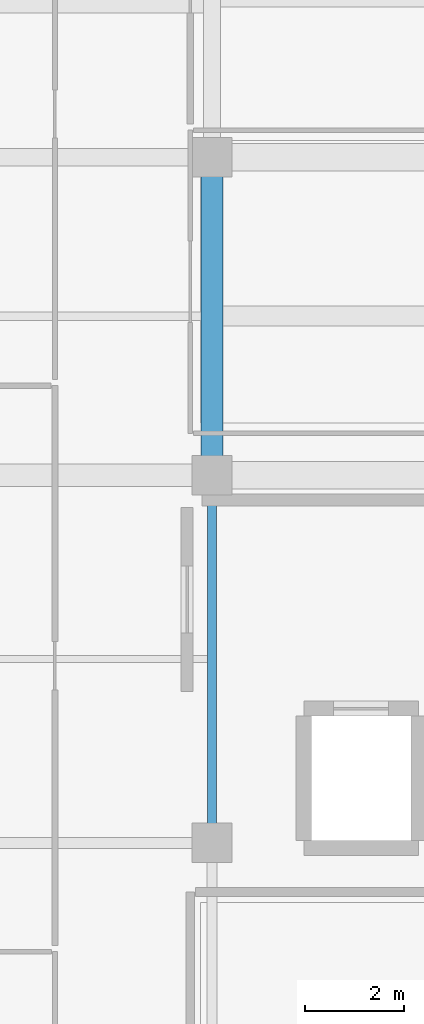
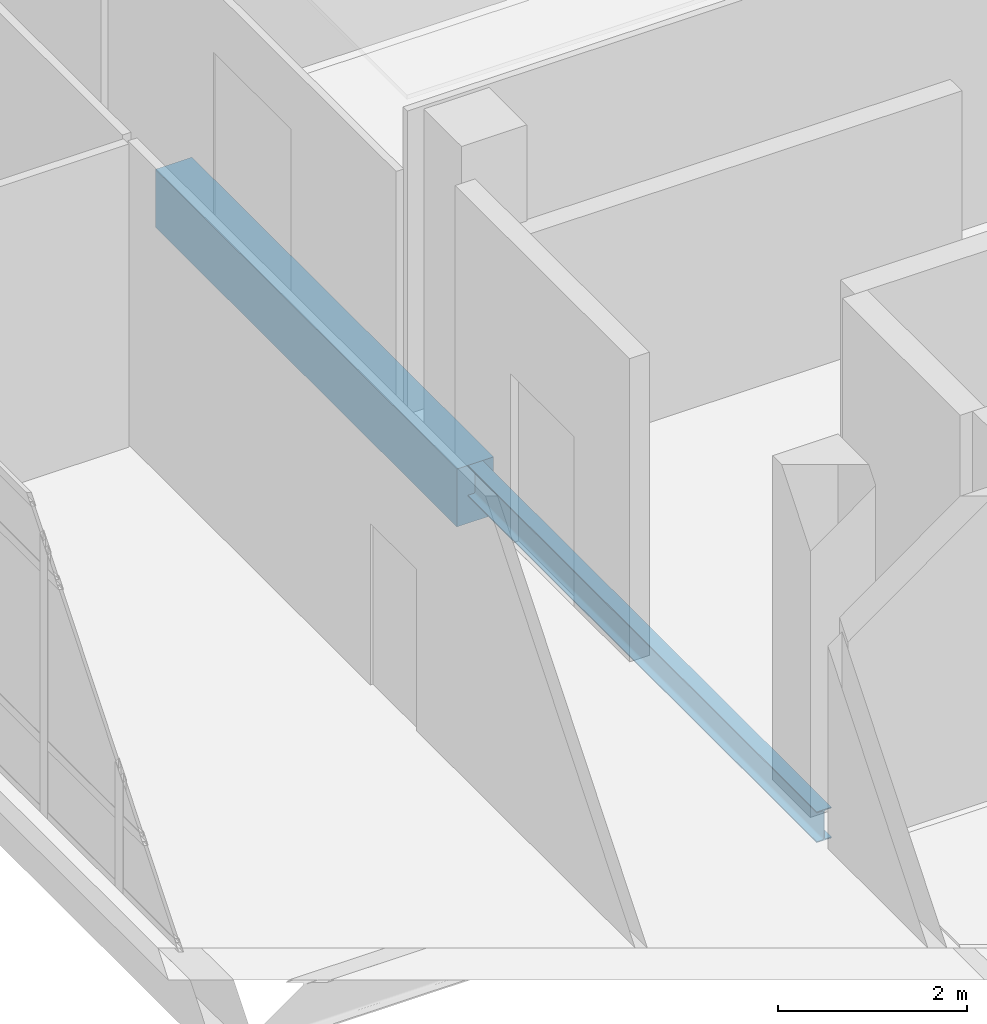
# One storey, part 99 of 158: 2 beams.
"""IFC4 building model written with IfcOpenShell, lengths in metres."""

from ifc_helpers import new_model, si_unit, direction, frame, origin, origin_2d, place, context, subcontext, project, spatial, rectangle, i_section, extrude, material, material_profile, profile_set, type_object, element, save


model = new_model("IFC4")

# Units and contexts
model_context = context("Model", 3, precision=1e-05, world=origin(), true_north=direction((0.0, 1.0)))
body_context = subcontext(model_context, "Body", "Model", "MODEL_VIEW")
ifc_project = project(units=[si_unit("LENGTHUNIT", "METRE"), si_unit("AREAUNIT", "SQUARE_METRE"), si_unit("VOLUMEUNIT", "CUBIC_METRE"), si_unit("PLANEANGLEUNIT", "RADIAN"), si_unit("MASSUNIT", "GRAM", prefix="KILO")], contexts=[model_context])

# Site, building, storey
site_placement = place(None, origin())
site = spatial("IfcSite", under=ifc_project, at=site_placement, CompositionType="ELEMENT")
building_placement = place(site_placement, origin())
building = spatial("IfcBuilding", under=site, at=building_placement, Name="Qalavern Law Courts", CompositionType="ELEMENT")
storey_placement = place(building_placement, frame((0.0, 0.0, 18.60009765625)))
storey = spatial("IfcBuildingStorey", under=building, at=storey_placement, Name="L04", CompositionType="ELEMENT", Elevation=18.60009765625)

# Beams
ifc_material_1 = material(Name="Steel S355", Category="steel")
ifc_material_profile_1 = material_profile(ifc_material_1, i_section(OverallWidth=0.179931640625, OverallDepth=0.39990234375, WebThickness=0.008544921875, FlangeThickness=0.013427734375, FilletRadius=0.02099609375, at=origin_2d()), Name="IPE 400")
ifc_profile_set_1 = profile_set([ifc_material_profile_1], Name="Steel S355")
beam_type_1 = type_object("IfcBeamType", Name="STR-BM-IPE400", PredefinedType="BEAM", material=ifc_profile_set_1)
beam_1_placement = place(storey_placement, frame((91.800048828125, 65.39990234375, -0.47998046875), z_axis=(0.0, 1.0, 0.0), x_axis=(-1.0, 0.0, 0.0)))
element("IfcBeam", 1, at=beam_1_placement, inside=storey, type_object=beam_type_1, Name="V4 Y-beam 2-3 L04", PredefinedType="BEAM", context=body_context, shape_type="SweptSolid", body=[
    extrude(i_section(OverallWidth=0.179931640625, OverallDepth=0.39990234375, WebThickness=0.008544921875, FlangeThickness=0.013427734375, FilletRadius=0.02099609375, at=origin_2d()), origin(), (0.0, 0.0, 1.0), 7.400146484375),
])
ifc_material_2 = material(Name="Concrete C40/50", Category="concrete")
ifc_material_profile_2 = material_profile(ifc_material_2, rectangle(XDim=0.449951171875, YDim=0.75, at=origin_2d()), Name="RC 450x750")
ifc_profile_set_2 = profile_set([ifc_material_profile_2], Name="Concrete C40/50")
beam_type_2 = type_object("IfcBeamType", Name="STR-BM-RC450x750", PredefinedType="BEAM", material=ifc_profile_set_2)
beam_2_placement = place(storey_placement, frame((91.800048828125, 72.800048828125, -0.655029296875), z_axis=(0.0, 1.0, 0.0), x_axis=(-1.0, 0.0, 0.0)))
element("IfcBeam", 2, at=beam_2_placement, inside=storey, type_object=beam_type_2, Name="V4 Y-beam 2-4 L04", PredefinedType="BEAM", context=body_context, shape_type="SweptSolid", body=[
    extrude(rectangle(XDim=0.449951171875, YDim=0.75, at=origin_2d()), origin(), (0.0, 0.0, 1.0), 6.39990234375),
])

save(model, "model.ifc")
